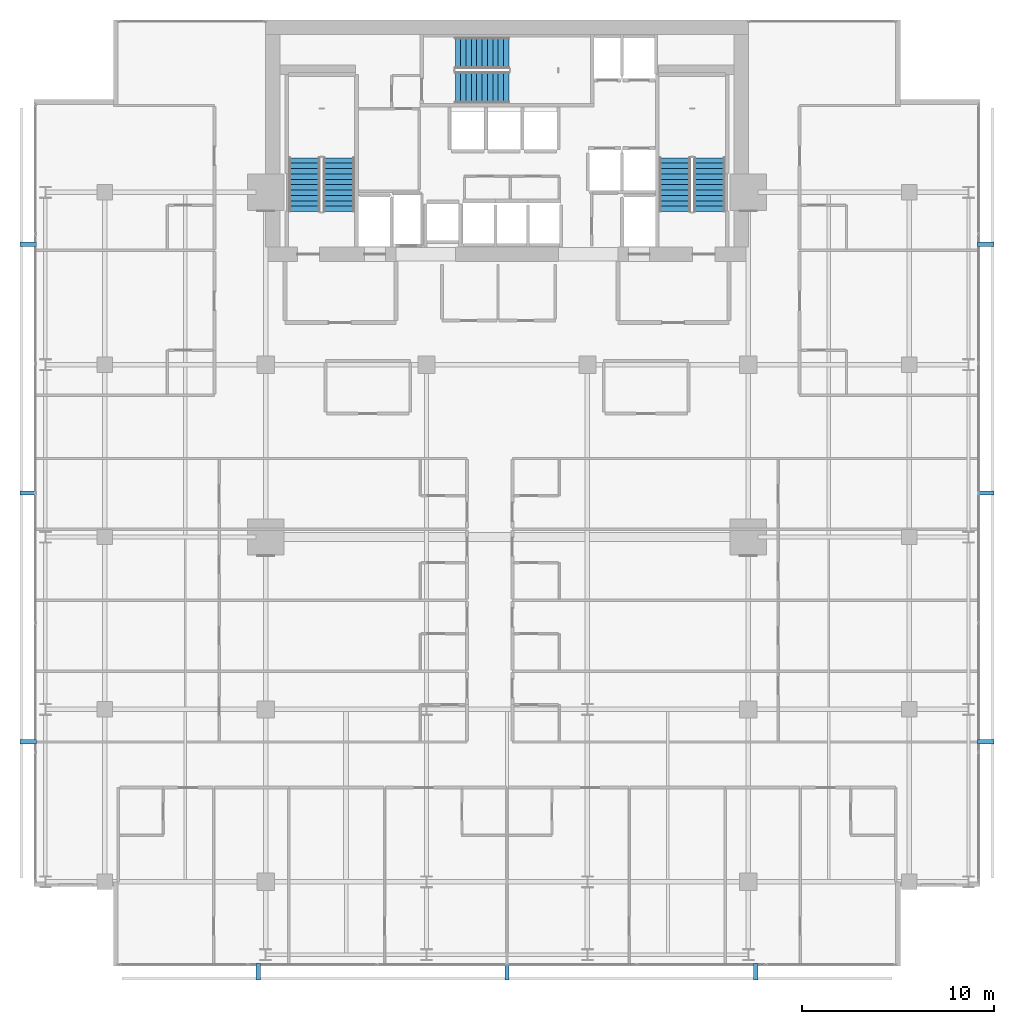
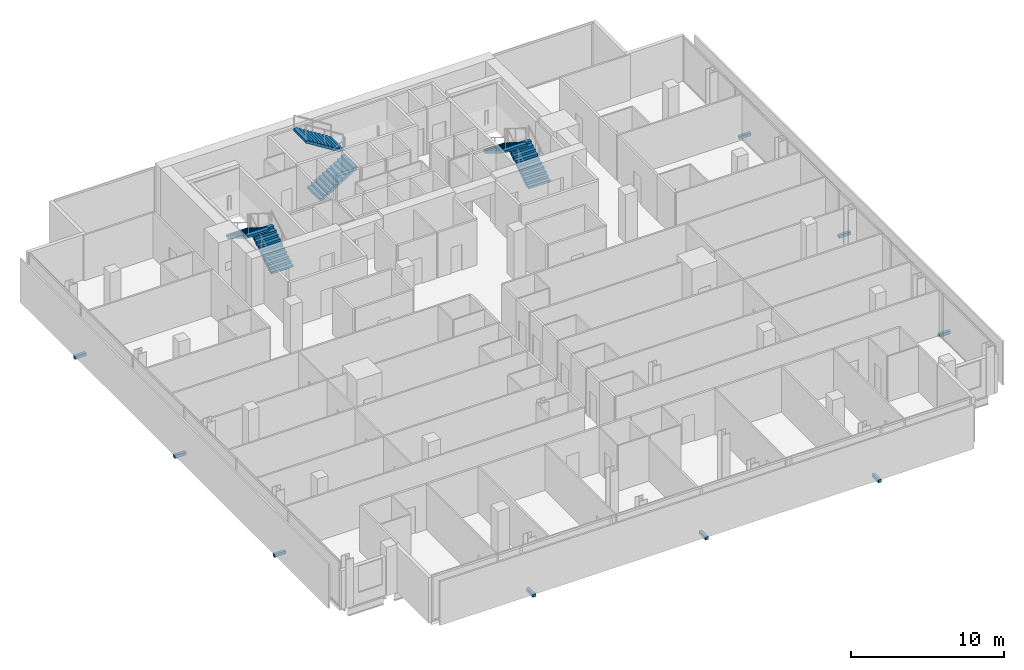
# One storey, part 32 of 34: 9 discrete accessories, 6 stair flights, 3 elements without a shape of their own.
"""IFC4 building model written with IfcOpenShell, lengths in metres."""

from ifc_helpers import new_model, si_unit, direction, frame, origin, origin_2d, place, context, subcontext, project, spatial, polyline, rectangle, outline, extrude, material, type_object, element, aggregate, save


model = new_model("IFC4")

# Units and contexts
model_context = context("Model", 3, precision=1e-05, world=origin(), true_north=direction((0.0, 1.0)))
body_context = subcontext(model_context, "Body", "Model", "MODEL_VIEW")
ifc_project = project(units=[si_unit("LENGTHUNIT", "METRE"), si_unit("AREAUNIT", "SQUARE_METRE"), si_unit("VOLUMEUNIT", "CUBIC_METRE"), si_unit("PLANEANGLEUNIT", "RADIAN"), si_unit("MASSUNIT", "GRAM", prefix="KILO")], contexts=[model_context])

# Site, building, storey
site_placement = place(None, origin())
site = spatial("IfcSite", under=ifc_project, at=site_placement, CompositionType="ELEMENT")
building_placement = place(site_placement, origin())
building = spatial("IfcBuilding", under=site, at=building_placement, Name="Maruvema Waterfront Hotel and Observation Tower", CompositionType="ELEMENT")
storey_placement = place(building_placement, frame((0.0, 0.0, 192.85009765625)))
storey = spatial("IfcBuildingStorey", under=building, at=storey_placement, Name="L47", CompositionType="ELEMENT", Elevation=192.85009765625)

# Stair, stair flights
ifc_material_1 = material(Name="Concrete C50/60", Category="concrete")
stair_type = type_object("IfcStairType", Name="Dogleg Exit Stair 1650 mm (22R x 175.0 mm)", PredefinedType="HALF_TURN_STAIR", material=ifc_material_1)
stair_1_placement = place(storey_placement, origin())
stair_1 = element("IfcStair", 1, at=stair_1_placement, inside=storey, type_object=stair_type, Name="L47 ST-01", PredefinedType="HALF_TURN_STAIR")
ifc_material_2 = material(Name="Concrete C50/60", Category="concrete")
stair_flight_type = type_object("IfcStairFlightType", Name="Reinforced Concrete Stair Flight 1650 mm (11R x 175.0 mm)", PredefinedType="STRAIGHT", material=ifc_material_2)
stair_flight_1_placement = place(storey_placement, frame((29.02490234375, 44.0, 0.0), z_axis=(0.0, 0.0, 1.0), x_axis=(0.0, 1.0, 0.0)))
stair_flight_1 = element("IfcStairFlight", 2, at=stair_flight_1_placement, type_object=stair_flight_type, Name="ST-01 flight 1", NumberOfRisers=11, NumberOfTreads=10, PredefinedType="STRAIGHT", RiserHeight=0.175, TreadLength=0.28, context=body_context, shape_type="SweptSolid", body=[
    extrude(outline(polyline([(0.0, 0.0), (0.0, 0.175048828125), (0.280029296875, 0.175048828125), (0.280029296875, 0.35009765625), (0.56005859375, 0.35009765625), (0.56005859375, 0.52490234375), (0.840087890625, 0.52490234375), (0.840087890625, 0.699951171875), (1.1201171875, 0.699951171875), (1.1201171875, 0.875), (1.39990234375, 0.875), (1.39990234375, 1.050048828125), (1.679931640625, 1.050048828125), (1.679931640625, 1.22509765625), (1.9599609375, 1.22509765625), (1.9599609375, 1.39990234375), (2.239990234375, 1.39990234375), (2.239990234375, 1.574951171875), (2.52001953125, 1.574951171875), (2.52001953125, 1.75), (2.800048828125, 1.75), (2.800048828125, 1.925048828125), (2.800048828125, 1.5732421875), (0.28271484375, 0.0), (0.0, 0.0)])), frame((0.0, 0.824951171875, 0.0), z_axis=(0.0, -1.0, 0.0), x_axis=(1.0, 0.0, 0.0)), (0.0, 0.0, 1.0), 1.64990234375),
])
stair_flight_2_placement = place(storey_placement, frame((27.22509765625, 46.800048828125, 1.9248046875), z_axis=(0.0, 0.0, 1.0), x_axis=(0.0, -1.0, 0.0)))
stair_flight_2 = element("IfcStairFlight", 3, at=stair_flight_2_placement, type_object=stair_flight_type, Name="ST-01 flight 2", NumberOfRisers=11, NumberOfTreads=10, PredefinedType="STRAIGHT", RiserHeight=0.175, TreadLength=0.28, context=body_context, shape_type="SweptSolid", body=[
    extrude(outline(polyline([(0.0, 0.0), (0.0, 0.175048828125), (0.280029296875, 0.175048828125), (0.280029296875, 0.35009765625), (0.56005859375, 0.35009765625), (0.56005859375, 0.52490234375), (0.840087890625, 0.52490234375), (0.840087890625, 0.699951171875), (1.1201171875, 0.699951171875), (1.1201171875, 0.875), (1.39990234375, 0.875), (1.39990234375, 1.050048828125), (1.679931640625, 1.050048828125), (1.679931640625, 1.22509765625), (1.9599609375, 1.22509765625), (1.9599609375, 1.39990234375), (2.239990234375, 1.39990234375), (2.239990234375, 1.574951171875), (2.52001953125, 1.574951171875), (2.52001953125, 1.75), (2.800048828125, 1.75), (2.800048828125, 1.925048828125), (2.800048828125, 1.5732421875), (0.28271484375, 0.0), (0.0, 0.0)])), frame((0.0, 0.824951171875, 0.0), z_axis=(0.0, -1.0, 0.0), x_axis=(1.0, 0.0, 0.0)), (0.0, 0.0, 1.0), 1.64990234375),
])
aggregate(stair_1, [stair_flight_1, stair_flight_2])

stair_2_placement = place(storey_placement, origin())
stair_2 = element("IfcStair", 4, at=stair_2_placement, inside=storey, type_object=stair_type, Name="L47 ST-02", PredefinedType="HALF_TURN_STAIR")
stair_flight_3_placement = place(storey_placement, frame((35.10009765625, 50.47509765625, 0.0), z_axis=(0.0, 0.0, 1.0), x_axis=(1.0, 0.0, 0.0)))
stair_flight_3 = element("IfcStairFlight", 5, at=stair_flight_3_placement, type_object=stair_flight_type, Name="ST-02 flight 1", NumberOfRisers=11, NumberOfTreads=10, PredefinedType="STRAIGHT", RiserHeight=0.175, TreadLength=0.28, context=body_context, shape_type="SweptSolid", body=[
    extrude(outline(polyline([(0.0, 0.0), (0.0, 0.175048828125), (0.280029296875, 0.175048828125), (0.280029296875, 0.35009765625), (0.56005859375, 0.35009765625), (0.56005859375, 0.52490234375), (0.840087890625, 0.52490234375), (0.840087890625, 0.699951171875), (1.1201171875, 0.699951171875), (1.1201171875, 0.875), (1.39990234375, 0.875), (1.39990234375, 1.050048828125), (1.679931640625, 1.050048828125), (1.679931640625, 1.22509765625), (1.9599609375, 1.22509765625), (1.9599609375, 1.39990234375), (2.239990234375, 1.39990234375), (2.239990234375, 1.574951171875), (2.52001953125, 1.574951171875), (2.52001953125, 1.75), (2.800048828125, 1.75), (2.800048828125, 1.925048828125), (2.800048828125, 1.5732421875), (0.28271484375, 0.0), (0.0, 0.0)])), frame((0.0, 0.824951171875, 0.0), z_axis=(0.0, -1.0, 0.0), x_axis=(1.0, 0.0, 0.0)), (0.0, 0.0, 1.0), 1.64990234375),
])
stair_flight_4_placement = place(storey_placement, frame((37.89990234375, 52.27490234375, 1.9248046875), z_axis=(0.0, 0.0, 1.0), x_axis=(-1.0, 0.0, 0.0)))
stair_flight_4 = element("IfcStairFlight", 6, at=stair_flight_4_placement, type_object=stair_flight_type, Name="ST-02 flight 2", NumberOfRisers=11, NumberOfTreads=10, PredefinedType="STRAIGHT", RiserHeight=0.175, TreadLength=0.28, context=body_context, shape_type="SweptSolid", body=[
    extrude(outline(polyline([(0.0, 0.0), (0.0, 0.175048828125), (0.280029296875, 0.175048828125), (0.280029296875, 0.35009765625), (0.56005859375, 0.35009765625), (0.56005859375, 0.52490234375), (0.840087890625, 0.52490234375), (0.840087890625, 0.699951171875), (1.1201171875, 0.699951171875), (1.1201171875, 0.875), (1.39990234375, 0.875), (1.39990234375, 1.050048828125), (1.679931640625, 1.050048828125), (1.679931640625, 1.22509765625), (1.9599609375, 1.22509765625), (1.9599609375, 1.39990234375), (2.239990234375, 1.39990234375), (2.239990234375, 1.574951171875), (2.52001953125, 1.574951171875), (2.52001953125, 1.75), (2.800048828125, 1.75), (2.800048828125, 1.925048828125), (2.800048828125, 1.5732421875), (0.28271484375, 0.0), (0.0, 0.0)])), frame((0.0, 0.824951171875, 0.0), z_axis=(0.0, -1.0, 0.0), x_axis=(1.0, 0.0, 0.0)), (0.0, 0.0, 1.0), 1.64990234375),
])
aggregate(stair_2, [stair_flight_3, stair_flight_4])

stair_3_placement = place(storey_placement, origin())
stair_3 = element("IfcStair", 7, at=stair_3_placement, inside=storey, type_object=stair_type, Name="L47 ST-03", PredefinedType="HALF_TURN_STAIR")
stair_flight_5_placement = place(storey_placement, frame((48.375, 44.0, 0.0), z_axis=(0.0, 0.0, 1.0), x_axis=(0.0, 1.0, 0.0)))
stair_flight_5 = element("IfcStairFlight", 8, at=stair_flight_5_placement, type_object=stair_flight_type, Name="ST-03 flight 1", NumberOfRisers=11, NumberOfTreads=10, PredefinedType="STRAIGHT", RiserHeight=0.175, TreadLength=0.28, context=body_context, shape_type="SweptSolid", body=[
    extrude(outline(polyline([(0.0, 0.0), (0.0, 0.175048828125), (0.280029296875, 0.175048828125), (0.280029296875, 0.35009765625), (0.56005859375, 0.35009765625), (0.56005859375, 0.52490234375), (0.840087890625, 0.52490234375), (0.840087890625, 0.699951171875), (1.1201171875, 0.699951171875), (1.1201171875, 0.875), (1.39990234375, 0.875), (1.39990234375, 1.050048828125), (1.679931640625, 1.050048828125), (1.679931640625, 1.22509765625), (1.9599609375, 1.22509765625), (1.9599609375, 1.39990234375), (2.239990234375, 1.39990234375), (2.239990234375, 1.574951171875), (2.52001953125, 1.574951171875), (2.52001953125, 1.75), (2.800048828125, 1.75), (2.800048828125, 1.925048828125), (2.800048828125, 1.5732421875), (0.28271484375, 0.0), (0.0, 0.0)])), frame((0.0, 0.824951171875, 0.0), z_axis=(0.0, -1.0, 0.0), x_axis=(1.0, 0.0, 0.0)), (0.0, 0.0, 1.0), 1.64990234375),
])
stair_flight_6_placement = place(storey_placement, frame((46.574951171875, 46.800048828125, 1.9248046875), z_axis=(0.0, 0.0, 1.0), x_axis=(0.0, -1.0, 0.0)))
stair_flight_6 = element("IfcStairFlight", 9, at=stair_flight_6_placement, type_object=stair_flight_type, Name="ST-03 flight 2", NumberOfRisers=11, NumberOfTreads=10, PredefinedType="STRAIGHT", RiserHeight=0.175, TreadLength=0.28, context=body_context, shape_type="SweptSolid", body=[
    extrude(outline(polyline([(0.0, 0.0), (0.0, 0.175048828125), (0.280029296875, 0.175048828125), (0.280029296875, 0.35009765625), (0.56005859375, 0.35009765625), (0.56005859375, 0.52490234375), (0.840087890625, 0.52490234375), (0.840087890625, 0.699951171875), (1.1201171875, 0.699951171875), (1.1201171875, 0.875), (1.39990234375, 0.875), (1.39990234375, 1.050048828125), (1.679931640625, 1.050048828125), (1.679931640625, 1.22509765625), (1.9599609375, 1.22509765625), (1.9599609375, 1.39990234375), (2.239990234375, 1.39990234375), (2.239990234375, 1.574951171875), (2.52001953125, 1.574951171875), (2.52001953125, 1.75), (2.800048828125, 1.75), (2.800048828125, 1.925048828125), (2.800048828125, 1.5732421875), (0.28271484375, 0.0), (0.0, 0.0)])), frame((0.0, 0.824951171875, 0.0), z_axis=(0.0, -1.0, 0.0), x_axis=(1.0, 0.0, 0.0)), (0.0, 0.0, 1.0), 1.64990234375),
])
aggregate(stair_3, [stair_flight_5, stair_flight_6])

# Discrete accessories
ifc_material_3 = material(Name="Duplex stainless steel Grade 2205", Category="steel")
discrete_accessory_type = type_object("IfcDiscreteAccessoryType", Name="Double-Skin Cavity Stainless Outrigger Bracket", PredefinedType="BRACKET", material=ifc_material_3)
for number, where, z_axis, x_axis, name in (
    (10, (24.80810546875, 4.300048828125, -0.14013671875), (0.0, 0.0, 1.0), (1.0, 0.0, 0.0), "L47 Outer Skin Support Bracket 1"),
    (11, (37.800048828125, 4.300048828125, -0.14013671875), (0.0, 0.0, 1.0), (1.0, 0.0, 0.0), "L47 Outer Skin Support Bracket 2"),
    (12, (50.7919921875, 4.300048828125, -0.14013671875), (0.0, 0.0, 1.0), (1.0, 0.0, 0.0), "L47 Outer Skin Support Bracket 3"),
    (13, (62.800048828125, 16.30810546875, -0.14013671875), (0.0, 0.0, 1.0), (0.0, 1.0, 0.0), "L47 Outer Skin Support Bracket 1"),
    (14, (62.800048828125, 29.300048828125, -0.14013671875), (0.0, 0.0, 1.0), (0.0, 1.0, 0.0), "L47 Outer Skin Support Bracket 2"),
    (15, (62.800048828125, 42.2919921875, -0.14013671875), (0.0, 0.0, 1.0), (0.0, 1.0, 0.0), "L47 Outer Skin Support Bracket 3"),
    (16, (12.800048828125, 42.2919921875, -0.14013671875), (0.0, 0.0, 1.0), (0.0, -1.0, 0.0), "L47 Outer Skin Support Bracket 1"),
    (17, (12.800048828125, 29.300048828125, -0.14013671875), (0.0, 0.0, 1.0), (0.0, -1.0, 0.0), "L47 Outer Skin Support Bracket 2"),
    (18, (12.800048828125, 16.30810546875, -0.14013671875), (0.0, 0.0, 1.0), (0.0, -1.0, 0.0), "L47 Outer Skin Support Bracket 3"),
):
    element("IfcDiscreteAccessory", number, at=place(storey_placement, frame(where, z_axis=z_axis, x_axis=x_axis)), inside=storey, type_object=discrete_accessory_type, Name=name, PredefinedType="BRACKET", context=body_context, shape_type="SweptSolid", body=[
        extrude(rectangle(XDim=0.219970703125, YDim=0.860107421875, at=origin_2d()), origin(), (0.0, 0.0, 1.0), 0.239990234375),
    ])

save(model, "model.ifc")
